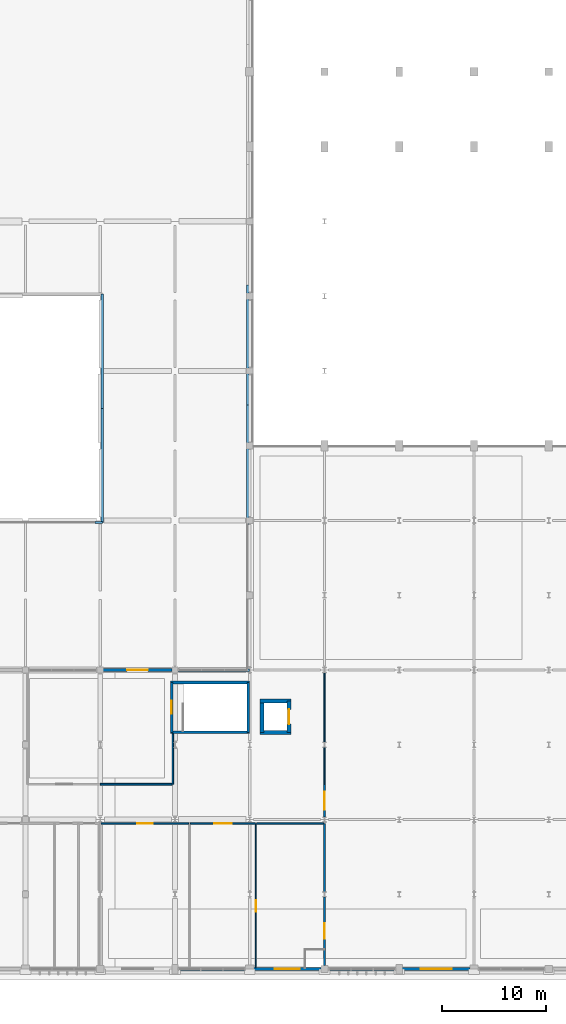
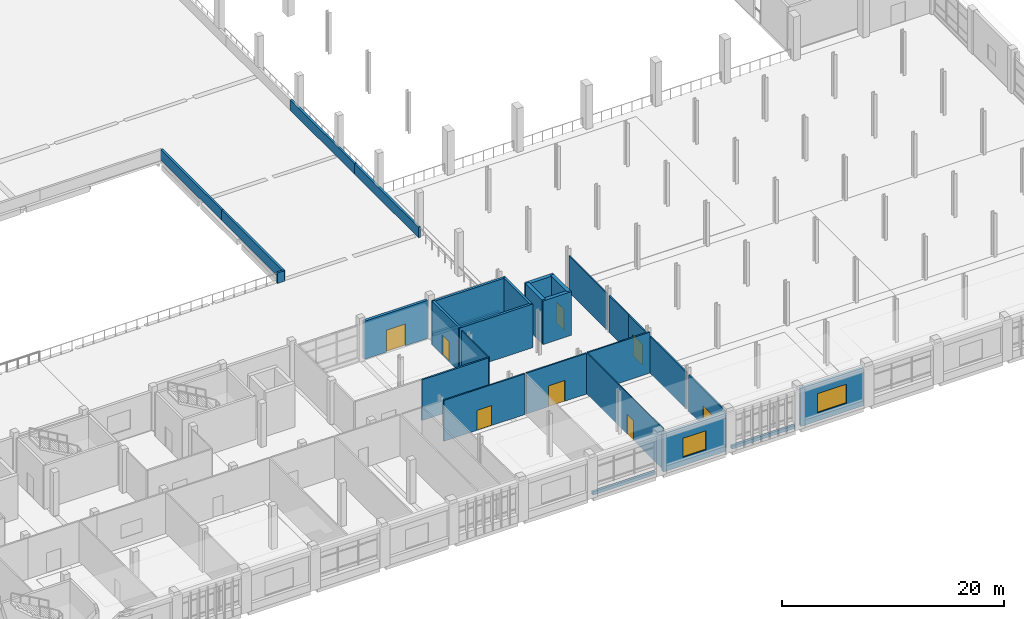
# One storey, part 60 of 82: 30 walls, 8 doors, 2 windows, 10 openings.
"""IFC4 building model written with IfcOpenShell, lengths in metres."""

from ifc_helpers import new_model, si_unit, direction, frame, frame_2d, origin, place, context, subcontext, project, spatial, rectangle, extrude, material, layer, layer_set, type_object, element, fill, save


model = new_model("IFC4")

# Units and contexts
model_context = context("Model", 3, precision=1e-05, world=origin(), true_north=direction((0.0, 1.0)))
body_context = subcontext(model_context, "Body", "Model", "MODEL_VIEW")
ifc_project = project(units=[si_unit("LENGTHUNIT", "METRE"), si_unit("AREAUNIT", "SQUARE_METRE"), si_unit("VOLUMEUNIT", "CUBIC_METRE"), si_unit("PLANEANGLEUNIT", "RADIAN"), si_unit("MASSUNIT", "GRAM", prefix="KILO")], contexts=[model_context])

# Site, building, storey
site_placement = place(None, origin())
site = spatial("IfcSite", under=ifc_project, at=site_placement, CompositionType="ELEMENT")
building_placement = place(site_placement, origin())
building = spatial("IfcBuilding", under=site, at=building_placement, Name="Sardonyx Promenade Sports Hall", CompositionType="ELEMENT")
storey_placement = place(building_placement, frame((0.0, 0.0, 11.199951171875)))
storey = spatial("IfcBuildingStorey", under=building, at=storey_placement, Name="L02", CompositionType="ELEMENT", Elevation=11.199951171875)

# Wall, opening, door
ifc_material_1 = material(Name="Concrete C40/50", Category="concrete")
ifc_layer_1 = layer(ifc_material_1, 0.3798828125)
ifc_layer_set_1 = layer_set([ifc_layer_1], Name="Wall_Core_Shear_380")
wall_type_1 = type_object("IfcWallType", Name="Wall_Core_Shear_380", PredefinedType="SHEAR", material=ifc_layer_set_1)
wall_1_placement = place(storey_placement, frame((111.800048828125, 22.800048828125, 0.0), z_axis=(0.0, 0.0, 1.0), x_axis=(0.0, 1.0, 0.0)))
wall_1 = element("IfcWall", 1, at=wall_1_placement, inside=storey, type_object=wall_type_1, Name="Lift shaft wall LF4 L02 E", PredefinedType="SHEAR", context=body_context, shape_type="SweptSolid", body=[
    extrude(rectangle(XDim=3.0, YDim=0.3798828125, at=frame_2d((1.5, 0.0))), origin(), (0.0, 0.0, 1.0), 4.800048828125),
])
opening_1_placement = place(wall_1_placement, frame((0.800048828125, 0.0, 0.0)))
opening_1 = element("IfcOpeningElement", 2, at=opening_1_placement, cuts=wall_1, Name="Opening LD02", PredefinedType="OPENING", context=body_context, shape_type="SweptSolid", body=[
    extrude(rectangle(XDim=1.39990234375, YDim=2.300048828125, at=frame_2d((0.699951171875, 1.14990234375))), frame((0.0, 0.2, 0.0), z_axis=(0.0, -1.0, 0.0), x_axis=(1.0, 0.0, 0.0)), (0.0, 0.0, 1.0), 0.4),
])
ifc_material_2 = material(Name="Fire-rated heavy-duty sliding lift door", Category="steel")
door_type_1 = type_object("IfcDoorType", Name="Door_Lift_Goods_140x230", OperationType="NOTDEFINED", PredefinedType="DOOR", material=ifc_material_2)
door_1_placement = place(opening_1_placement, origin())
door_1 = element("IfcDoor", 3, at=door_1_placement, inside=storey, type_object=door_type_1, Name="Lift landing sliding door LD-LF4-L02", OperationType="SLIDING_TO_LEFT", OverallHeight=2.300048828125, OverallWidth=1.39990234375, PredefinedType="DOOR", context=body_context, shape_type="SweptSolid", body=[
    extrude(rectangle(XDim=1.39990234375, YDim=2.300048828125, at=frame_2d((0.699951171875, 1.14990234375))), frame((0.0, 0.02490234375, 0.0), z_axis=(0.0, -1.0, 0.0), x_axis=(1.0, 0.0, 0.0)), (0.0, 0.0, 1.0), 0.050048828125),
])
fill(opening_1, door_1)

# Walls
wall_2_placement = place(storey_placement, frame((109.010009765625, 25.800048828125, 0.0), z_axis=(0.0, 0.0, 1.0), x_axis=(1.0, 0.0, 0.0)))
element("IfcWall", 4, at=wall_2_placement, inside=storey, type_object=wall_type_1, Name="Lift shaft wall LF4 L02 N", PredefinedType="SHEAR", context=body_context, shape_type="SweptSolid", body=[
    extrude(rectangle(XDim=2.97998046875, YDim=0.3798828125, at=frame_2d((1.489990234375, 0.0))), origin(), (0.0, 0.0, 1.0), 4.800048828125),
])
wall_3_placement = place(storey_placement, frame((109.199951171875, 25.800048828125, 0.0), z_axis=(0.0, 0.0, 1.0), x_axis=(0.0, -1.0, 0.0)))
element("IfcWall", 5, at=wall_3_placement, inside=storey, type_object=wall_type_1, Name="Lift shaft wall LF4 L02 W", PredefinedType="SHEAR", context=body_context, shape_type="SweptSolid", body=[
    extrude(rectangle(XDim=3.0, YDim=0.3798828125, at=frame_2d((1.5, 0.0))), origin(), (0.0, 0.0, 1.0), 4.800048828125),
])
wall_4_placement = place(storey_placement, frame((111.989990234375, 22.800048828125, 0.0), z_axis=(0.0, 0.0, 1.0), x_axis=(-1.0, 0.0, 0.0)))
element("IfcWall", 6, at=wall_4_placement, inside=storey, type_object=wall_type_1, Name="Lift shaft wall LF4 L02 S", PredefinedType="SHEAR", context=body_context, shape_type="SweptSolid", body=[
    extrude(rectangle(XDim=2.97998046875, YDim=0.3798828125, at=frame_2d((1.489990234375, 0.0))), origin(), (0.0, 0.0, 1.0), 4.800048828125),
])
ifc_material_3 = material(Name="Masonry CMU 15 MPa", Category="masonry")
ifc_layer_2 = layer(ifc_material_3, 0.239990234375)
ifc_layer_set_2 = layer_set([ifc_layer_2], Name="Wall_Ext_Spandrel_240")
wall_type_2 = type_object("IfcWallType", Name="Wall_Ext_Spandrel_240", PredefinedType="SOLIDWALL", material=ifc_layer_set_2)
wall_5_placement = place(storey_placement, frame((122.114990234375, 0.0, 0.0), z_axis=(0.0, 0.0, 1.0), x_axis=(-1.0, 0.0, 0.0)))
element("IfcWall", 7, at=wall_5_placement, inside=storey, type_object=wall_type_2, Name="Curtain-wall sill spandrel L02 #60", PredefinedType="SOLIDWALL", context=body_context, shape_type="SweptSolid", body=[
    extrude(rectangle(XDim=6.580078125, YDim=0.239990234375, at=frame_2d((3.2900390625, 0.0))), origin(), (0.0, 0.0, 1.0), 0.35009765625),
])
wall_6_placement = place(storey_placement, frame((107.614990234375, 0.0, 0.0), z_axis=(0.0, 0.0, 1.0), x_axis=(-1.0, 0.0, 0.0)))
element("IfcWall", 8, at=wall_6_placement, inside=storey, type_object=wall_type_2, Name="Curtain-wall sill spandrel L02 #62", PredefinedType="SOLIDWALL", context=body_context, shape_type="SweptSolid", body=[
    extrude(rectangle(XDim=6.530029296875, YDim=0.239990234375, at=frame_2d((3.26513671875, 0.0))), origin(), (0.0, 0.0, 1.0), 0.35009765625),
])
wall_7_placement = place(storey_placement, frame((101.0849609375, 28.800048828125, 0.0), z_axis=(0.0, 0.0, 1.0), x_axis=(1.0, 0.0, 0.0)))
element("IfcWall", 9, at=wall_7_placement, inside=storey, type_object=wall_type_2, Name="Curtain-wall sill spandrel L02 #249", PredefinedType="SOLIDWALL", context=body_context, shape_type="SweptSolid", body=[
    extrude(rectangle(XDim=6.9111328125, YDim=0.239990234375, at=frame_2d((3.45556640625, 0.0))), origin(), (0.0, 0.0, 1.0), 0.35009765625),
])

# Wall, opening, window
ifc_material_4 = material(Name="Concrete C40/50", Category="concrete")
ifc_layer_3 = layer(ifc_material_4, 0.280029296875)
ifc_layer_set_3 = layer_set([ifc_layer_3], Name="Wall_Ext_Wing_280")
wall_type_3 = type_object("IfcWallType", Name="Wall_Ext_Wing_280", PredefinedType="SOLIDWALL", material=ifc_layer_set_3)
wall_8_placement = place(storey_placement, frame((129.215087890625, 0.0, 0.0), z_axis=(0.0, 0.0, 1.0), x_axis=(-1.0, 0.0, 0.0)))
wall_8 = element("IfcWall", 10, at=wall_8_placement, inside=storey, type_object=wall_type_3, Name="Exterior wall EW02 L02 #59", PredefinedType="SOLIDWALL", context=body_context, shape_type="SweptSolid", body=[
    extrude(rectangle(XDim=6.530029296875, YDim=0.280029296875, at=frame_2d((3.26513671875, 0.0))), origin(), (0.0, 0.0, 1.0), 4.18505859375),
])
opening_2_placement = place(wall_8_placement, frame((1.764892578125, 0.0, 0.89990234375)))
opening_2 = element("IfcOpeningElement", 11, at=opening_2_placement, cuts=wall_8, Name="Opening W21", PredefinedType="OPENING", context=body_context, shape_type="SweptSolid", body=[
    extrude(rectangle(XDim=3.0, YDim=2.10009765625, at=frame_2d((1.5, 1.050048828125))), frame((0.0, 0.15, 0.0), z_axis=(0.0, -1.0, 0.0), x_axis=(1.0, 0.0, 0.0)), (0.0, 0.0, 1.0), 0.3),
])
ifc_material_5 = material(Name="Double-glazed solar low-E aluminium window", Category="aluminium")
window_type_1 = type_object("IfcWindowType", Name="Win_Studio_300x210", PartitioningType="DOUBLE_PANEL_VERTICAL", PredefinedType="WINDOW", material=ifc_material_5)
window_1_placement = place(opening_2_placement, origin())
window_1 = element("IfcWindow", 12, at=window_1_placement, inside=storey, type_object=window_type_1, Name="Facade window W21 L02 #22", OverallHeight=2.10009765625, OverallWidth=3.0, PartitioningType="SINGLE_PANEL", PredefinedType="WINDOW", context=body_context, shape_type="SweptSolid", body=[
    extrude(rectangle(XDim=3.0, YDim=2.10009765625, at=frame_2d((1.5, 1.050048828125))), frame((0.0, 0.030029296875, 0.0), z_axis=(0.0, -1.0, 0.0), x_axis=(1.0, 0.0, 0.0)), (0.0, 0.0, 1.0), 0.06005859375),
])
fill(opening_2, window_1)

wall_9_placement = place(storey_placement, frame((114.864990234375, 0.0, 0.0), z_axis=(0.0, 0.0, 1.0), x_axis=(-1.0, 0.0, 0.0)))
wall_9 = element("IfcWall", 13, at=wall_9_placement, inside=storey, type_object=wall_type_3, Name="Exterior wall EW02 L02 #61", PredefinedType="SOLIDWALL", context=body_context, shape_type="SweptSolid", body=[
    extrude(rectangle(XDim=6.47998046875, YDim=0.280029296875, at=frame_2d((3.239990234375, 0.0))), origin(), (0.0, 0.0, 1.0), 4.18505859375),
])
opening_3_placement = place(wall_9_placement, frame((2.0400390625, 0.0, 0.89990234375)))
opening_3 = element("IfcOpeningElement", 14, at=opening_3_placement, cuts=wall_9, Name="Opening W16", PredefinedType="OPENING", context=body_context, shape_type="SweptSolid", body=[
    extrude(rectangle(XDim=2.39990234375, YDim=2.10009765625, at=frame_2d((1.199951171875, 1.050048828125))), frame((0.0, 0.15, 0.0), z_axis=(0.0, -1.0, 0.0), x_axis=(1.0, 0.0, 0.0)), (0.0, 0.0, 1.0), 0.3),
])
ifc_material_6 = material(Name="Double-glazed solar low-E aluminium window", Category="aluminium")
window_type_2 = type_object("IfcWindowType", Name="Win_Studio_240x210", PartitioningType="DOUBLE_PANEL_VERTICAL", PredefinedType="WINDOW", material=ifc_material_6)
window_2_placement = place(opening_3_placement, origin())
window_2 = element("IfcWindow", 15, at=window_2_placement, inside=storey, type_object=window_type_2, Name="Facade window W16 L02 #23", OverallHeight=2.10009765625, OverallWidth=2.39990234375, PartitioningType="SINGLE_PANEL", PredefinedType="WINDOW", context=body_context, shape_type="SweptSolid", body=[
    extrude(rectangle(XDim=2.39990234375, YDim=2.10009765625, at=frame_2d((1.199951171875, 1.050048828125))), frame((0.0, 0.030029296875, 0.0), z_axis=(0.0, -1.0, 0.0), x_axis=(1.0, 0.0, 0.0)), (0.0, 0.0, 1.0), 0.06005859375),
])
fill(opening_3, window_2)

# Wall, opening, door
wall_10_placement = place(storey_placement, frame((93.885009765625, 28.800048828125, 0.0), z_axis=(0.0, 0.0, 1.0), x_axis=(1.0, 0.0, 0.0)))
wall_10 = element("IfcWall", 16, at=wall_10_placement, inside=storey, type_object=wall_type_3, Name="Exterior wall EW02 L02 #248", PredefinedType="SOLIDWALL", context=body_context, shape_type="SweptSolid", body=[
    extrude(rectangle(XDim=6.6298828125, YDim=0.280029296875, at=frame_2d((3.31494140625, 0.0))), origin(), (0.0, 0.0, 1.0), 4.18505859375),
])
opening_4_placement = place(wall_10_placement, frame((2.31494140625, 0.0, 0.0)))
opening_4 = element("IfcOpeningElement", 17, at=opening_4_placement, cuts=wall_10, Name="Opening ED12", PredefinedType="OPENING", context=body_context, shape_type="SweptSolid", body=[
    extrude(rectangle(XDim=2.0, YDim=2.39990234375, at=frame_2d((1.0, 1.199951171875))), frame((0.0, 0.15, 0.0), z_axis=(0.0, -1.0, 0.0), x_axis=(1.0, 0.0, 0.0)), (0.0, 0.0, 1.0), 0.3),
])
ifc_material_7 = material(Name="Thermally broken anodised aluminium glazed door", Category="aluminium")
door_type_2 = type_object("IfcDoorType", Name="Door_Ext_Garden_200x240", OperationType="NOTDEFINED", PredefinedType="DOOR", material=ifc_material_7)
door_2_placement = place(opening_4_placement, origin())
door_2 = element("IfcDoor", 18, at=door_2_placement, inside=storey, type_object=door_type_2, Name="Exterior exit door GD05", OperationType="DOUBLE_DOOR_SINGLE_SWING", OverallHeight=2.39990234375, OverallWidth=2.0, PredefinedType="DOOR", context=body_context, shape_type="SweptSolid", body=[
    extrude(rectangle(XDim=2.0, YDim=2.39990234375, at=frame_2d((1.0, 1.199951171875))), frame((0.0, 0.02490234375, 0.0), z_axis=(0.0, -1.0, 0.0), x_axis=(1.0, 0.0, 0.0)), (0.0, 0.0, 1.0), 0.050048828125),
])
fill(opening_4, door_2)

# Walls
ifc_material_8 = material(Name="Concrete C40/50", Category="concrete")
ifc_layer_4 = layer(ifc_material_8, 0.219970703125)
ifc_layer_set_4 = layer_set([ifc_layer_4], Name="Wall_Parapet_Roof_220")
wall_type_4 = type_object("IfcWallType", Name="Wall_Parapet_Roof_220", PredefinedType="PARAPET", material=ifc_layer_set_4)
wall_11_placement = place(storey_placement, frame((107.800048828125, 65.889892578125, 0.0), z_axis=(0.0, 0.0, 1.0), x_axis=(0.0, -1.0, 0.0)))
element("IfcWall", 19, at=wall_11_placement, inside=storey, type_object=wall_type_4, Name="Roof parapet PP02 L02 #6", PredefinedType="PARAPET", context=body_context, shape_type="SweptSolid", body=[
    extrude(rectangle(XDim=11.56982421875, YDim=0.219970703125, at=frame_2d((5.784912109375, 0.0))), origin(), (0.0, 0.0, 1.0), 1.150146484375),
])
wall_12_placement = place(storey_placement, frame((107.800048828125, 54.320068359375, 0.0), z_axis=(0.0, 0.0, 1.0), x_axis=(0.0, -1.0, 0.0)))
element("IfcWall", 20, at=wall_12_placement, inside=storey, type_object=wall_type_4, Name="Roof parapet PP02 L02 #7", PredefinedType="PARAPET", context=body_context, shape_type="SweptSolid", body=[
    extrude(rectangle(XDim=11.570068359375, YDim=0.219970703125, at=frame_2d((5.78515625, 0.0))), origin(), (0.0, 0.0, 1.0), 1.150146484375),
])
for number, where, z_axis, x_axis, name in (
    (21, (93.800048828125, 65.0, 0.0), (0.0, 0.0, 1.0), (0.0, -1.0, 0.0), "Roof parapet PP02 L02 #15"),
    (22, (93.800048828125, 54.0, 0.0), (0.0, 0.0, 1.0), (0.0, -1.0, 0.0), "Roof parapet PP02 L02 #16"),
):
    element("IfcWall", number, at=place(storey_placement, frame(where, z_axis=z_axis, x_axis=x_axis)), inside=storey, type_object=wall_type_4, Name=name, PredefinedType="PARAPET", context=body_context, shape_type="SweptSolid", body=[
        extrude(rectangle(XDim=11.0, YDim=0.219970703125, at=frame_2d((5.5, 0.0))), origin(), (0.0, 0.0, 1.0), 1.150146484375),
    ])
wall_13_placement = place(storey_placement, frame((93.800048828125, 43.0, 0.0), z_axis=(0.0, 0.0, 1.0), x_axis=(-1.0, 0.0, 0.0)))
element("IfcWall", 23, at=wall_13_placement, inside=storey, type_object=wall_type_4, Name="Roof parapet PP02 L02 #17", PredefinedType="PARAPET", context=body_context, shape_type="SweptSolid", body=[
    extrude(rectangle(XDim=0.699951171875, YDim=0.219970703125, at=frame_2d((0.35009765625, 0.0))), origin(), (0.0, 0.0, 1.0), 1.150146484375),
])
ifc_material_9 = material(Name="Twin-stud acoustic gypsum partition", Category="gypsum")
ifc_layer_5 = layer(ifc_material_9, 0.169921875)
ifc_layer_set_5 = layer_set([ifc_layer_5], Name="Wall_Part_Acoust_170")
wall_type_5 = type_object("IfcWallType", Name="Wall_Part_Acoust_170", PredefinedType="PARTITIONING", material=ifc_layer_set_5)
wall_14_placement = place(storey_placement, frame((93.610107421875, 17.800048828125, 0.0), z_axis=(0.0, 0.0, 1.0), x_axis=(1.0, 0.0, 0.0)))
element("IfcWall", 24, at=wall_14_placement, inside=storey, type_object=wall_type_5, Name="Interior partition PW06 L02 #295", PredefinedType="PARTITIONING", context=body_context, shape_type="SweptSolid", body=[
    extrude(rectangle(XDim=6.914794921875, YDim=0.169921875, at=frame_2d((3.45751953125, 0.0))), origin(), (0.0, 0.0, 1.0), 4.489990234375),
])
ifc_material_10 = material(Name="Hygienic clinical stud partition", Category="gypsum")
ifc_layer_6 = layer(ifc_material_10, 0.1201171875)
ifc_layer_set_6 = layer_set([ifc_layer_6], Name="Wall_Part_Clinic_120")
wall_type_6 = type_object("IfcWallType", Name="Wall_Part_Clinic_120", PredefinedType="PARTITIONING", material=ifc_layer_set_6)
wall_15_placement = place(storey_placement, frame((115.199951171875, 17.800048828125, 0.0), z_axis=(0.0, 0.0, 1.0), x_axis=(0.0, 1.0, 0.0)))
element("IfcWall", 25, at=wall_15_placement, inside=storey, type_object=wall_type_6, Name="Interior partition PW02 L02 #270", PredefinedType="PARTITIONING", context=body_context, shape_type="SweptSolid", body=[
    extrude(rectangle(XDim=3.554931640625, YDim=0.1201171875, at=frame_2d((1.77734375, 0.0))), origin(), (0.0, 0.0, 1.0), 4.0400390625),
])
wall_16_placement = place(storey_placement, frame((115.199951171875, 21.844970703125, 0.0), z_axis=(0.0, 0.0, 1.0), x_axis=(0.0, 1.0, 0.0)))
element("IfcWall", 26, at=wall_16_placement, inside=storey, type_object=wall_type_6, Name="Interior partition PW02 L02 #271", PredefinedType="PARTITIONING", context=body_context, shape_type="SweptSolid", body=[
    extrude(rectangle(XDim=6.7099609375, YDim=0.1201171875, at=frame_2d((3.35498046875, 0.0))), origin(), (0.0, 0.0, 1.0), 4.0400390625),
])

# Wall, opening, door
ifc_material_11 = material(Name="Fire-rated stud gypsum partition", Category="gypsum")
ifc_layer_7 = layer(ifc_material_11, 0.14990234375)
ifc_layer_set_7 = layer_set([ifc_layer_7], Name="Wall_Part_Corridor_150")
wall_type_7 = type_object("IfcWallType", Name="Wall_Part_Corridor_150", PredefinedType="PARTITIONING", material=ifc_layer_set_7)
wall_17_placement = place(storey_placement, frame((115.199951171875, 0.35009765625, 0.0), z_axis=(0.0, 0.0, 1.0), x_axis=(0.0, 1.0, 0.0)))
wall_17 = element("IfcWall", 27, at=wall_17_placement, inside=storey, type_object=wall_type_7, Name="Interior partition PW04 L02 #250", PredefinedType="PARTITIONING", context=body_context, shape_type="SweptSolid", body=[
    extrude(rectangle(XDim=6.60498046875, YDim=0.14990234375, at=frame_2d((3.302490234375, 0.0))), origin(), (0.0, 0.0, 1.0), 4.0400390625),
])
opening_5_placement = place(wall_17_placement, frame((2.552490234375, 0.0, 0.0)))
opening_5 = element("IfcOpeningElement", 28, at=opening_5_placement, cuts=wall_17, Name="Opening ID10", PredefinedType="OPENING", context=body_context, shape_type="SweptSolid", body=[
    extrude(rectangle(XDim=1.5, YDim=2.199951171875, at=frame_2d((0.75, 1.10009765625))), frame((0.0, 0.085, 0.0), z_axis=(0.0, -1.0, 0.0), x_axis=(1.0, 0.0, 0.0)), (0.0, 0.0, 1.0), 0.17),
])
ifc_material_12 = material(Name="Double studio entrance fire door FD30S", Category="wood")
door_type_3 = type_object("IfcDoorType", Name="Door_Corr_FD30_150x220", OperationType="NOTDEFINED", PredefinedType="DOOR", material=ifc_material_12)
door_3_placement = place(opening_5_placement, origin())
door_3 = element("IfcDoor", 29, at=door_3_placement, inside=storey, type_object=door_type_3, Name="Interior door D02-075", OperationType="DOUBLE_DOOR_SINGLE_SWING", OverallHeight=2.199951171875, OverallWidth=1.5, PredefinedType="DOOR", context=body_context, shape_type="SweptSolid", body=[
    extrude(rectangle(XDim=1.5, YDim=2.199951171875, at=frame_2d((0.75, 1.10009765625))), frame((0.0, 0.02490234375, 0.0), z_axis=(0.0, -1.0, 0.0), x_axis=(1.0, 0.0, 0.0)), (0.0, 0.0, 1.0), 0.050048828125),
])
fill(opening_5, door_3)

# Wall
wall_18_placement = place(storey_placement, frame((115.199951171875, 7.445068359375, 0.0), z_axis=(0.0, 0.0, 1.0), x_axis=(0.0, 1.0, 0.0)))
element("IfcWall", 30, at=wall_18_placement, inside=storey, type_object=wall_type_7, Name="Interior partition PW04 L02 #251", PredefinedType="PARTITIONING", context=body_context, shape_type="SweptSolid", body=[
    extrude(rectangle(XDim=6.554931640625, YDim=0.14990234375, at=frame_2d((3.27734375, 0.0))), origin(), (0.0, 0.0, 1.0), 4.0400390625),
])

# Wall, opening, door
wall_19_placement = place(storey_placement, frame((115.199951171875, 14.64501953125, 0.0), z_axis=(0.0, 0.0, 1.0), x_axis=(0.0, 1.0, 0.0)))
wall_19 = element("IfcWall", 31, at=wall_19_placement, inside=storey, type_object=wall_type_7, Name="Interior partition PW04 L02 #273", PredefinedType="PARTITIONING", context=body_context, shape_type="SweptSolid", body=[
    extrude(rectangle(XDim=3.14501953125, YDim=0.14990234375, at=frame_2d((1.572509765625, 0.0))), origin(), (0.0, 0.0, 1.0), 4.0400390625),
])
opening_6_placement = place(wall_19_placement, frame((0.722412109375, 0.0, 0.0)))
opening_6 = element("IfcOpeningElement", 32, at=opening_6_placement, cuts=wall_19, Name="Opening ID03", PredefinedType="OPENING", context=body_context, shape_type="SweptSolid", body=[
    extrude(rectangle(XDim=1.699951171875, YDim=2.300048828125, at=frame_2d((0.85009765625, 1.14990234375))), frame((0.0, 0.085, 0.0), z_axis=(0.0, -1.0, 0.0), x_axis=(1.0, 0.0, 0.0)), (0.0, 0.0, 1.0), 0.17),
])
ifc_material_13 = material(Name="Double changing suite fire door FD30S", Category="wood")
door_type_4 = type_object("IfcDoorType", Name="Door_Corr_FD30_170x230", OperationType="NOTDEFINED", PredefinedType="DOOR", material=ifc_material_13)
door_4_placement = place(opening_6_placement, origin())
door_4 = element("IfcDoor", 33, at=door_4_placement, inside=storey, type_object=door_type_4, Name="Interior door D02-080", OperationType="DOUBLE_DOOR_SINGLE_SWING", OverallHeight=2.300048828125, OverallWidth=1.699951171875, PredefinedType="DOOR", context=body_context, shape_type="SweptSolid", body=[
    extrude(rectangle(XDim=1.699951171875, YDim=2.300048828125, at=frame_2d((0.85009765625, 1.14990234375))), frame((0.0, 0.02490234375, 0.0), z_axis=(0.0, -1.0, 0.0), x_axis=(1.0, 0.0, 0.0)), (0.0, 0.0, 1.0), 0.050048828125),
])
fill(opening_6, door_4)

wall_20_placement = place(storey_placement, frame((93.679931640625, 14.0, 0.0), z_axis=(0.0, 0.0, 1.0), x_axis=(1.0, 0.0, 0.0)))
wall_20 = element("IfcWall", 34, at=wall_20_placement, inside=storey, type_object=wall_type_7, Name="Interior partition PW04 L02 #287", PredefinedType="PARTITIONING", context=body_context, shape_type="SweptSolid", body=[
    extrude(rectangle(XDim=8.440185546875, YDim=0.14990234375, at=frame_2d((4.22021484375, 0.0))), origin(), (0.0, 0.0, 1.0), 4.489990234375),
])
opening_7_placement = place(wall_20_placement, frame((3.469970703125, 0.0, 0.0)))
opening_7 = element("IfcOpeningElement", 35, at=opening_7_placement, cuts=wall_20, Name="Opening ID10", PredefinedType="OPENING", context=body_context, shape_type="SweptSolid", body=[
    extrude(rectangle(XDim=1.5, YDim=2.199951171875, at=frame_2d((0.75, 1.10009765625))), frame((0.0, 0.085, 0.0), z_axis=(0.0, -1.0, 0.0), x_axis=(1.0, 0.0, 0.0)), (0.0, 0.0, 1.0), 0.17),
])
door_5_placement = place(opening_7_placement, origin())
door_5 = element("IfcDoor", 36, at=door_5_placement, inside=storey, type_object=door_type_3, Name="Interior door D02-088", OperationType="DOUBLE_DOOR_SINGLE_SWING", OverallHeight=2.199951171875, OverallWidth=1.5, PredefinedType="DOOR", context=body_context, shape_type="SweptSolid", body=[
    extrude(rectangle(XDim=1.5, YDim=2.199951171875, at=frame_2d((0.75, 1.10009765625))), frame((0.0, 0.02490234375, 0.0), z_axis=(0.0, -1.0, 0.0), x_axis=(1.0, 0.0, 0.0)), (0.0, 0.0, 1.0), 0.050048828125),
])
fill(opening_7, door_5)

wall_21_placement = place(storey_placement, frame((102.280029296875, 14.0, 0.0), z_axis=(0.0, 0.0, 1.0), x_axis=(1.0, 0.0, 0.0)))
wall_21 = element("IfcWall", 37, at=wall_21_placement, inside=storey, type_object=wall_type_7, Name="Interior partition PW04 L02 #288", PredefinedType="PARTITIONING", context=body_context, shape_type="SweptSolid", body=[
    extrude(rectangle(XDim=6.260009765625, YDim=0.14990234375, at=frame_2d((3.1298828125, 0.0))), origin(), (0.0, 0.0, 1.0), 4.489990234375),
])
opening_8_placement = place(wall_21_placement, frame((2.280029296875, 0.0, 0.0)))
opening_8 = element("IfcOpeningElement", 38, at=opening_8_placement, cuts=wall_21, Name="Opening ID03", PredefinedType="OPENING", context=body_context, shape_type="SweptSolid", body=[
    extrude(rectangle(XDim=1.699951171875, YDim=2.300048828125, at=frame_2d((0.85009765625, 1.14990234375))), frame((0.0, 0.085, 0.0), z_axis=(0.0, -1.0, 0.0), x_axis=(1.0, 0.0, 0.0)), (0.0, 0.0, 1.0), 0.17),
])
door_6_placement = place(opening_8_placement, origin())
door_6 = element("IfcDoor", 39, at=door_6_placement, inside=storey, type_object=door_type_4, Name="Interior door D02-089", OperationType="DOUBLE_DOOR_SINGLE_SWING", OverallHeight=2.300048828125, OverallWidth=1.699951171875, PredefinedType="DOOR", context=body_context, shape_type="SweptSolid", body=[
    extrude(rectangle(XDim=1.699951171875, YDim=2.300048828125, at=frame_2d((0.85009765625, 1.14990234375))), frame((0.0, 0.02490234375, 0.0), z_axis=(0.0, -1.0, 0.0), x_axis=(1.0, 0.0, 0.0)), (0.0, 0.0, 1.0), 0.050048828125),
])
fill(opening_8, door_6)

# Wall
wall_22_placement = place(storey_placement, frame((108.659912109375, 14.0, 0.0), z_axis=(0.0, 0.0, 1.0), x_axis=(1.0, 0.0, 0.0)))
element("IfcWall", 40, at=wall_22_placement, inside=storey, type_object=wall_type_7, Name="Interior partition PW04 L02 #289", PredefinedType="PARTITIONING", context=body_context, shape_type="SweptSolid", body=[
    extrude(rectangle(XDim=6.455078125, YDim=0.14990234375, at=frame_2d((3.2275390625, 0.0))), origin(), (0.0, 0.0, 1.0), 4.52001953125),
])

# Wall, opening, door
ifc_material_14 = material(Name="Lightweight steel-stud partition", Category="steel")
ifc_layer_8 = layer(ifc_material_14, 0.10009765625)
ifc_layer_set_8 = layer_set([ifc_layer_8], Name="Wall_Part_Light_100")
wall_type_8 = type_object("IfcWallType", Name="Wall_Part_Light_100", PredefinedType="PARTITIONING", material=ifc_layer_set_8)
wall_23_placement = place(storey_placement, frame((108.60009765625, 0.14990234375, 0.0), z_axis=(0.0, 0.0, 1.0), x_axis=(0.0, 1.0, 0.0)))
wall_23 = element("IfcWall", 41, at=wall_23_placement, inside=storey, type_object=wall_type_8, Name="Interior partition PW01 L02 #254", PredefinedType="PARTITIONING", context=body_context, shape_type="SweptSolid", body=[
    extrude(rectangle(XDim=13.85009765625, YDim=0.10009765625, at=frame_2d((6.925048828125, 0.0))), origin(), (0.0, 0.0, 1.0), 4.52001953125),
])
opening_9_placement = place(wall_23_placement, frame((5.35009765625, 0.0, 0.0)))
opening_9 = element("IfcOpeningElement", 42, at=opening_9_placement, cuts=wall_23, Name="Opening ID01", PredefinedType="OPENING", context=body_context, shape_type="SweptSolid", body=[
    extrude(rectangle(XDim=1.14990234375, YDim=2.14990234375, at=frame_2d((0.574951171875, 1.074951171875))), frame((0.0, 0.06, 0.0), z_axis=(0.0, -1.0, 0.0), x_axis=(1.0, 0.0, 0.0)), (0.0, 0.0, 1.0), 0.12),
])
ifc_material_15 = material(Name="Wide treatment couch door", Category="wood")
door_type_5 = type_object("IfcDoorType", Name="Door_Suite_115x215", OperationType="NOTDEFINED", PredefinedType="DOOR", material=ifc_material_15)
door_7_placement = place(opening_9_placement, origin())
door_7 = element("IfcDoor", 43, at=door_7_placement, inside=storey, type_object=door_type_5, Name="Interior door D02-078", OperationType="SINGLE_SWING_LEFT", OverallHeight=2.14990234375, OverallWidth=1.14990234375, PredefinedType="DOOR", context=body_context, shape_type="SweptSolid", body=[
    extrude(rectangle(XDim=1.14990234375, YDim=2.14990234375, at=frame_2d((0.574951171875, 1.074951171875))), frame((0.0, 0.02490234375, 0.0), z_axis=(0.0, -1.0, 0.0), x_axis=(1.0, 0.0, 0.0)), (0.0, 0.0, 1.0), 0.050048828125),
])
fill(opening_9, door_7)

# Wall
ifc_material_16 = material(Name="Acoustic sports stud partition", Category="gypsum")
ifc_layer_9 = layer(ifc_material_16, 0.1298828125)
ifc_layer_set_9 = layer_set([ifc_layer_9], Name="Wall_Part_Studio_130")
wall_type_9 = type_object("IfcWallType", Name="Wall_Part_Studio_130", PredefinedType="PARTITIONING", material=ifc_layer_set_9)
wall_24_placement = place(storey_placement, frame((100.60009765625, 17.800048828125, 0.0), z_axis=(0.0, 0.0, 1.0), x_axis=(0.0, 1.0, 0.0)))
element("IfcWall", 44, at=wall_24_placement, inside=storey, type_object=wall_type_9, Name="Interior partition PW05 L02 #269", PredefinedType="PARTITIONING", context=body_context, shape_type="SweptSolid", body=[
    extrude(rectangle(XDim=4.849853515625, YDim=0.1298828125, at=frame_2d((2.4248046875, 0.0))), origin(), (0.0, 0.0, 1.0), 4.489990234375),
])

# Wall, opening, door
ifc_material_17 = material(Name="Concrete C40/50", Category="concrete")
ifc_layer_10 = layer(ifc_material_17, 0.25)
ifc_layer_set_10 = layer_set([ifc_layer_10], Name="Wall_Stair_Shear_250")
wall_type_10 = type_object("IfcWallType", Name="Wall_Stair_Shear_250", PredefinedType="SHEAR", material=ifc_layer_set_10)
wall_25_placement = place(storey_placement, frame((100.47509765625, 22.800048828125, 0.0), z_axis=(0.0, 0.0, 1.0), x_axis=(0.0, 1.0, 0.0)))
wall_25 = element("IfcWall", 45, at=wall_25_placement, inside=storey, type_object=wall_type_10, Name="Stair shaft wall ST2 L02 entry", PredefinedType="SHEAR", context=body_context, shape_type="SweptSolid", body=[
    extrude(rectangle(XDim=4.800048828125, YDim=0.25, at=frame_2d((2.39990234375, 0.0))), origin(), (0.0, 0.0, 1.0), 4.800048828125),
])
opening_10_placement = place(wall_25_placement, frame((1.77490234375, 0.0, 0.0)))
opening_10 = element("IfcOpeningElement", 46, at=opening_10_placement, cuts=wall_25, Name="Opening ID13", PredefinedType="OPENING", context=body_context, shape_type="SweptSolid", body=[
    extrude(rectangle(XDim=1.25, YDim=2.199951171875, at=frame_2d((0.625, 1.10009765625))), frame((0.0, 0.135, 0.0), z_axis=(0.0, -1.0, 0.0), x_axis=(1.0, 0.0, 0.0)), (0.0, 0.0, 1.0), 0.27),
])
ifc_material_18 = material(Name="Solid-core hardwood fire door FD60S", Category="wood")
door_type_6 = type_object("IfcDoorType", Name="Door_Stair_FD60_125x220", OperationType="NOTDEFINED", PredefinedType="DOOR", material=ifc_material_18)
door_8_placement = place(opening_10_placement, origin())
door_8 = element("IfcDoor", 47, at=door_8_placement, inside=storey, type_object=door_type_6, Name="Protected stair door SD10 (ST2 L02)", OperationType="SINGLE_SWING_RIGHT", OverallHeight=2.199951171875, OverallWidth=1.25, PredefinedType="DOOR", context=body_context, shape_type="SweptSolid", body=[
    extrude(rectangle(XDim=1.25, YDim=2.199951171875, at=frame_2d((0.625, 1.10009765625))), frame((0.0, 0.02490234375, 0.0), z_axis=(0.0, -1.0, 0.0), x_axis=(1.0, 0.0, 0.0)), (0.0, 0.0, 1.0), 0.050048828125),
])
fill(opening_10, door_8)

# Walls
wall_26_placement = place(storey_placement, frame((100.35009765625, 27.60009765625, 0.0), z_axis=(0.0, 0.0, 1.0), x_axis=(1.0, 0.0, 0.0)))
element("IfcWall", 48, at=wall_26_placement, inside=storey, type_object=wall_type_10, Name="Stair shaft wall ST2 L02 N", PredefinedType="SHEAR", context=body_context, shape_type="SweptSolid", body=[
    extrude(rectangle(XDim=7.64990234375, YDim=0.25, at=frame_2d((3.824951171875, 0.0))), origin(), (0.0, 0.0, 1.0), 4.800048828125),
])
wall_27_placement = place(storey_placement, frame((107.875, 27.60009765625, 0.0), z_axis=(0.0, 0.0, 1.0), x_axis=(0.0, -1.0, 0.0)))
element("IfcWall", 49, at=wall_27_placement, inside=storey, type_object=wall_type_10, Name="Stair shaft wall ST2 L02 E", PredefinedType="SHEAR", context=body_context, shape_type="SweptSolid", body=[
    extrude(rectangle(XDim=4.800048828125, YDim=0.25, at=frame_2d((2.39990234375, 0.0))), origin(), (0.0, 0.0, 1.0), 4.800048828125),
])
wall_28_placement = place(storey_placement, frame((108.0, 22.800048828125, 0.0), z_axis=(0.0, 0.0, 1.0), x_axis=(-1.0, 0.0, 0.0)))
element("IfcWall", 50, at=wall_28_placement, inside=storey, type_object=wall_type_10, Name="Stair shaft wall ST2 L02 S", PredefinedType="SHEAR", context=body_context, shape_type="SweptSolid", body=[
    extrude(rectangle(XDim=7.64990234375, YDim=0.25, at=frame_2d((3.824951171875, 0.0))), origin(), (0.0, 0.0, 1.0), 4.800048828125),
])

save(model, "model.ifc")
